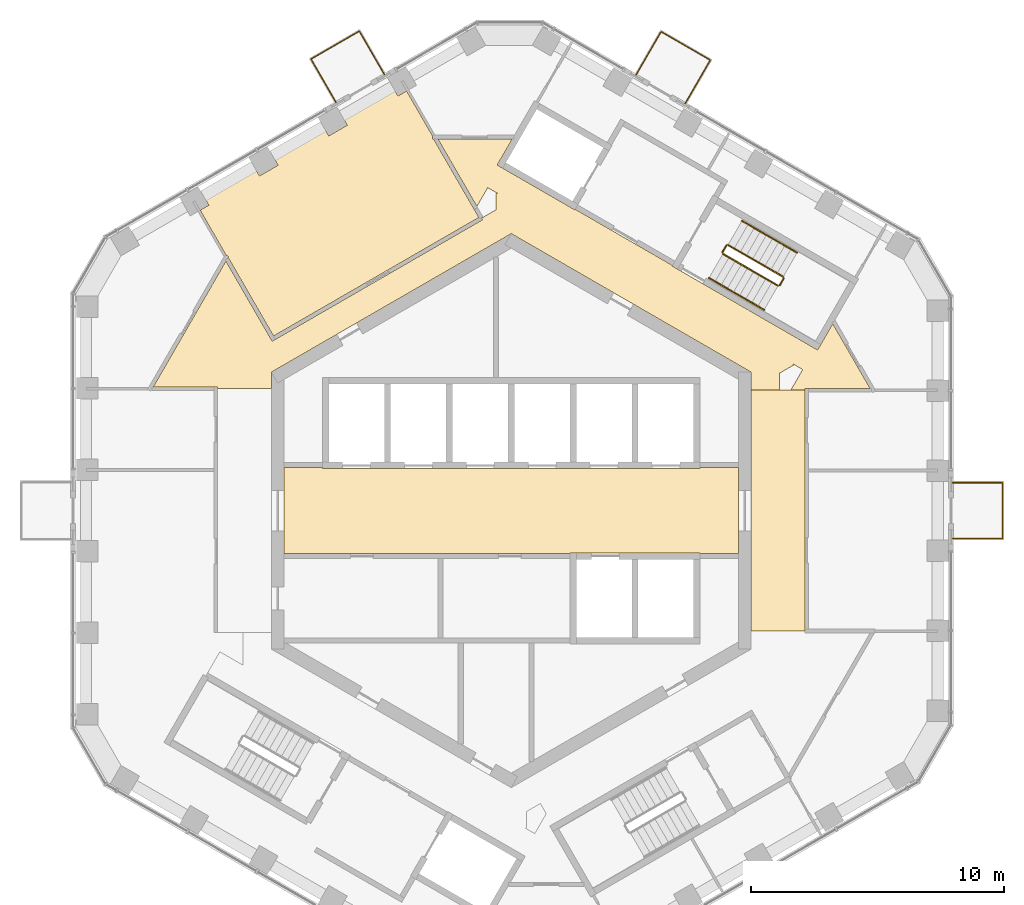
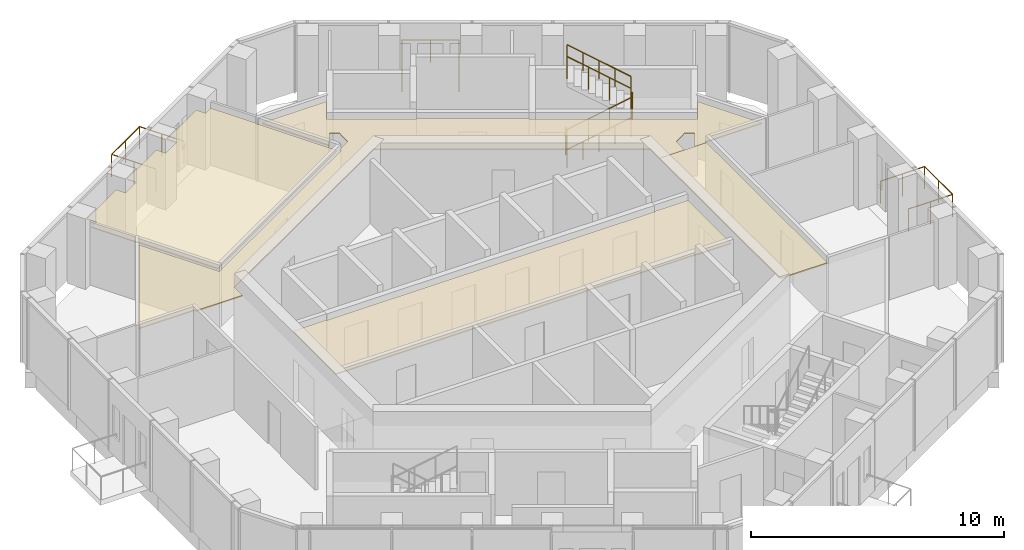
# One storey, part 19 of 19: 11 railings, 4 coverings.
"""IFC4 building model written with IfcOpenShell, lengths in metres."""

from ifc_helpers import new_model, si_unit, direction, frame, origin, origin_2d, place, context, subcontext, project, spatial, polyline, circle, outline, extrude, material, layer, layer_set, type_object, element, save


model = new_model("IFC4")

# Units and contexts
model_context = context("Model", 3, precision=1e-05, world=origin(), true_north=direction((0.0, 1.0)))
body_context = subcontext(model_context, "Body", "Model", "MODEL_VIEW")
ifc_project = project(units=[si_unit("LENGTHUNIT", "METRE"), si_unit("AREAUNIT", "SQUARE_METRE"), si_unit("VOLUMEUNIT", "CUBIC_METRE"), si_unit("PLANEANGLEUNIT", "RADIAN"), si_unit("MASSUNIT", "GRAM", prefix="KILO")], contexts=[model_context])

# Site, building, storey
site_placement = place(None, origin())
site = spatial("IfcSite", under=ifc_project, at=site_placement, CompositionType="ELEMENT")
building_placement = place(site_placement, origin())
building = spatial("IfcBuilding", under=site, at=building_placement, Name="Ayvan Gate Tower", CompositionType="ELEMENT")
storey_placement = place(building_placement, frame((0.0, 0.0, 222.300048828125)))
storey = spatial("IfcBuildingStorey", under=building, at=storey_placement, Name="L59", CompositionType="ELEMENT", Elevation=222.300048828125)

# Railings
ifc_material_1 = material(Name="Stainless steel 316 and laminated glass", Category="steel")
railing_type_1 = type_object("IfcRailingType", Name="Balcony balustrade 1100", PredefinedType="BALUSTRADE", material=ifc_material_1)
railing_1_placement = place(storey_placement, frame((-5.008056640625, 17.24365234375, 0.0)))
element("IfcRailing", 1, at=railing_1_placement, inside=storey, type_object=railing_type_1, Name="Balcony balustrade BAL-L59-2", PredefinedType="BALUSTRADE", context=body_context, shape_type="SweptSolid", body=[
    extrude(circle(Radius=0.02490234375, at=origin_2d()), frame((0.0, 0.0, 1.0751953125), z_axis=(-0.500061578839, 0.865989848306, 0.0), x_axis=(-0.865989848306, -0.500061578839, 0.0)), (0.0, 0.0, 1.0), 2.014892578125),
    extrude(circle(Radius=0.02490234375, at=origin_2d()), frame((-1.007568359375, 1.744873046875, 1.0751953125), z_axis=(-0.866066005596, -0.499929669004, 0.0), x_axis=(0.499929669004, -0.866066005596, 0.0)), (0.0, 0.0, 1.0), 2.209716796875),
    extrude(circle(Radius=0.02490234375, at=origin_2d()), frame((-2.92138671875, 0.64013671875, 1.0751953125), z_axis=(0.500009111705, -0.866020143075, 0.0), x_axis=(0.866020143075, 0.500009111705, 0.0)), (0.0, 0.0, 1.0), 2.01513671875),
    extrude(circle(Radius=0.02001953125, at=origin_2d()), origin(), (0.0, 0.0, 1.0), 1.050048828125),
    extrude(circle(Radius=0.02001953125, at=origin_2d()), frame((-0.50390625, 0.87255859375, 0.0)), (0.0, 0.0, 1.0), 1.050048828125),
    extrude(circle(Radius=0.02001953125, at=origin_2d()), frame((-1.007568359375, 1.744873046875, 0.0)), (0.0, 0.0, 1.0), 1.050048828125),
    extrude(circle(Radius=0.02001953125, at=origin_2d()), frame((-1.96435546875, 1.1923828125, 0.0)), (0.0, 0.0, 1.0), 1.050048828125),
    extrude(circle(Radius=0.02001953125, at=origin_2d()), frame((-2.92138671875, 0.64013671875, 0.0)), (0.0, 0.0, 1.0), 1.050048828125),
    extrude(circle(Radius=0.02001953125, at=origin_2d()), frame((-2.41748046875, -0.232421875, 0.0)), (0.0, 0.0, 1.0), 1.050048828125),
    extrude(circle(Radius=0.02001953125, at=origin_2d()), frame((-1.913818359375, -1.10498046875, 0.0)), (0.0, 0.0, 1.0), 1.050048828125),
])
railing_2_placement = place(storey_placement, frame((17.4375, -1.10498046875, 0.0)))
element("IfcRailing", 2, at=railing_2_placement, inside=storey, type_object=railing_type_1, Name="Balcony balustrade BAL-L59-0", PredefinedType="BALUSTRADE", context=body_context, shape_type="SweptSolid", body=[
    extrude(circle(Radius=0.02490234375, at=origin_2d()), frame((0.0, 0.0, 1.0751953125), z_axis=(1.0, 0.0, 0.0), x_axis=(0.0, 1.0, 0.0)), (0.0, 0.0, 1.0), 2.014892578125),
    extrude(circle(Radius=0.02490234375, at=origin_2d()), frame((2.014892578125, 0.0, 1.0751953125), z_axis=(0.0, 1.0, 0.0), x_axis=(-1.0, 0.0, 0.0)), (0.0, 0.0, 1.0), 2.2099609375),
    extrude(circle(Radius=0.02490234375, at=origin_2d()), frame((2.014892578125, 2.2099609375, 1.0751953125), z_axis=(-1.0, 0.0, 0.0), x_axis=(0.0, -1.0, 0.0)), (0.0, 0.0, 1.0), 2.014892578125),
    extrude(circle(Radius=0.02001953125, at=origin_2d()), origin(), (0.0, 0.0, 1.0), 1.050048828125),
    extrude(circle(Radius=0.02001953125, at=origin_2d()), frame((1.00732421875, 0.0, 0.0)), (0.0, 0.0, 1.0), 1.050048828125),
    extrude(circle(Radius=0.02001953125, at=origin_2d()), frame((2.014892578125, 0.0, 0.0)), (0.0, 0.0, 1.0), 1.050048828125),
    extrude(circle(Radius=0.02001953125, at=origin_2d()), frame((2.014892578125, 1.10498046875, 0.0)), (0.0, 0.0, 1.0), 1.050048828125),
    extrude(circle(Radius=0.02001953125, at=origin_2d()), frame((2.014892578125, 2.2099609375, 0.0)), (0.0, 0.0, 1.0), 1.050048828125),
    extrude(circle(Radius=0.02001953125, at=origin_2d()), frame((1.00732421875, 2.2099609375, 0.0)), (0.0, 0.0, 1.0), 1.050048828125),
    extrude(circle(Radius=0.02001953125, at=origin_2d()), frame((0.0, 2.2099609375, 0.0)), (0.0, 0.0, 1.0), 1.050048828125),
])
railing_3_placement = place(storey_placement, frame((6.874267578125, 16.09765625, 0.0)))
element("IfcRailing", 3, at=railing_3_placement, inside=storey, type_object=railing_type_1, Name="Balcony balustrade BAL-L59-1", PredefinedType="BALUSTRADE", context=body_context, shape_type="SweptSolid", body=[
    extrude(circle(Radius=0.02490234375, at=origin_2d()), frame((0.0, 0.0, 1.0751953125), z_axis=(0.500061578839, 0.865989848306, 0.0), x_axis=(-0.865989848306, 0.500061578839, 0.0)), (0.0, 0.0, 1.0), 2.014892578125),
    extrude(circle(Radius=0.02490234375, at=origin_2d()), frame((1.007568359375, 1.744873046875, 1.0751953125), z_axis=(-0.866004950882, 0.500035423793, 0.0), x_axis=(-0.500035423793, -0.866004950882, 0.0)), (0.0, 0.0, 1.0), 2.250732421875),
    extrude(circle(Radius=0.02490234375, at=origin_2d()), frame((-0.941650390625, 2.870361328125, 1.0751953125), z_axis=(-0.500061578839, -0.865989848306, 0.0), x_axis=(0.865989848306, -0.500061578839, 0.0)), (0.0, 0.0, 1.0), 2.014892578125),
    extrude(circle(Radius=0.02001953125, at=origin_2d()), origin(), (0.0, 0.0, 1.0), 1.050048828125),
    extrude(circle(Radius=0.02001953125, at=origin_2d()), frame((0.50390625, 0.87255859375, 0.0)), (0.0, 0.0, 1.0), 1.050048828125),
    extrude(circle(Radius=0.02001953125, at=origin_2d()), frame((1.007568359375, 1.744873046875, 0.0)), (0.0, 0.0, 1.0), 1.050048828125),
    extrude(circle(Radius=0.02001953125, at=origin_2d()), frame((0.032958984375, 2.3076171875, 0.0)), (0.0, 0.0, 1.0), 1.050048828125),
    extrude(circle(Radius=0.02001953125, at=origin_2d()), frame((-0.941650390625, 2.870361328125, 0.0)), (0.0, 0.0, 1.0), 1.050048828125),
    extrude(circle(Radius=0.02001953125, at=origin_2d()), frame((-1.4453125, 1.998046875, 0.0)), (0.0, 0.0, 1.0), 1.050048828125),
    extrude(circle(Radius=0.02001953125, at=origin_2d()), frame((-1.94921875, 1.12548828125, 0.0)), (0.0, 0.0, 1.0), 1.050048828125),
])

# Coverings
ifc_material_2 = material(Name="Plasterboard suspended ceiling")
ifc_layer = layer(ifc_material_2, 0.050048828125)
ifc_layer_set = layer_set([ifc_layer], Name="Plasterboard suspended ceiling")
covering_type = type_object("IfcCoveringType", Name="CT-SUSP-50", PredefinedType="CEILING", material=ifc_layer_set)
covering_1_placement = place(storey_placement, frame((0.0, 0.0, 2.699951171875)))
element("IfcCovering", 4, at=covering_1_placement, inside=storey, type_object=covering_type, Name="Ceiling Lift Lobby L59", PredefinedType="CEILING", context=body_context, shape_type="SweptSolid", body=[
    extrude(outline(polyline([(7.47509765625, -1.675048828125), (2.324951171875, -1.675048828125), (2.324951171875, -1.699951171875), (-9.0, -1.699951171875), (-9.0, 1.699951171875), (-7.47509765625, 1.699951171875), (-7.47509765625, 1.675048828125), (7.47509765625, 1.675048828125), (7.47509765625, 1.699951171875), (9.0, 1.699951171875), (9.0, -1.699951171875), (7.47509765625, -1.699951171875), (7.47509765625, -1.675048828125)])), origin(), (0.0, 0.0, 1.0), 0.050048828125),
])
covering_2_placement = place(storey_placement, frame((0.0, 0.0, 2.699951171875)))
element("IfcCovering", 5, at=covering_2_placement, inside=storey, type_object=covering_type, Name="Ceiling Gallery L59", PredefinedType="CEILING", context=body_context, shape_type="SweptSolid", body=[
    extrude(outline(polyline([(-0.53955078125, 12.56298828125), (-0.930419921875, 12.78857421875), (-1.35986328125, 12.044677734375), (-2.908203125, 14.7265625), (0.044189453125, 14.7265625), (-0.55615234375, 13.686767578125), (-0.339599609375, 13.561767578125), (2.518310546875, 11.91162109375), (2.53076171875, 11.933349609375), (6.384521484375, 9.70849609375), (6.3720703125, 9.686767578125), (6.588623046875, 9.561767578125), (12.131103515625, 6.36181640625), (12.24609375, 6.56103515625), (12.7314453125, 7.401611328125), (14.207763671875, 4.8447265625), (11.625, 4.8447265625), (11.625, 4.769775390625), (11.067626953125, 4.769775390625), (11.540283203125, 5.58837890625), (11.149658203125, 5.814208984375), (11.1796875, 5.76171875), (10.6201171875, 5.438720703125), (10.6201171875, 4.769775390625), (9.5, 4.769775390625), (9.5, 5.48486328125), (4.66748046875, 8.27490234375), (0.0, 10.9697265625), (-4.667724609375, 8.27490234375), (-8.880615234375, 5.84228515625), (-9.5, 5.48486328125), (-9.5, 4.831298828125), (-11.625, 4.831298828125), (-11.625, 4.90625), (-14.172119140625, 4.90625), (-11.299560546875, 9.882080078125), (-9.468017578125, 6.7099609375), (-9.338134765625, 6.784912109375), (-1.141845703125, 11.51708984375), (-1.17919921875, 11.58203125), (-0.60009765625, 11.91650390625), (-0.60009765625, 12.56298828125), (-0.53955078125, 12.56298828125)])), origin(), (0.0, 0.0, 1.0), 0.050048828125),
])
covering_3_placement = place(storey_placement, frame((0.0, 0.0, 2.699951171875)))
element("IfcCovering", 6, at=covering_3_placement, inside=storey, type_object=covering_type, Name="Ceiling Lift Lounge Lobby L59", PredefinedType="CEILING", context=body_context, shape_type="SweptSolid", body=[
    extrude(outline(polyline([(11.625, -4.769775390625), (9.5, -4.769775390625), (9.5, 4.769775390625), (11.625, 4.769775390625), (11.625, -4.694580078125), (11.625, -4.694580078125), (11.625, -4.769775390625)])), origin(), (0.0, 0.0, 1.0), 0.050048828125),
])
covering_4_placement = place(storey_placement, frame((0.0, 0.0, 2.699951171875)))
element("IfcCovering", 7, at=covering_4_placement, inside=storey, type_object=covering_type, Name="Ceiling Study Lounge L59", PredefinedType="CEILING", context=body_context, shape_type="SweptSolid", body=[
    extrude(outline(polyline([(-12.318603515625, 11.897216796875), (-11.97607421875, 12.094970703125), (-12.1884765625, 12.462890625), (-10.182861328125, 13.62109375), (-9.97021484375, 13.2529296875), (-9.234130859375, 13.677978515625), (-9.446533203125, 14.0458984375), (-7.44091796875, 15.2041015625), (-7.228515625, 14.8359375), (-6.4921875, 15.260986328125), (-6.70458984375, 15.62890625), (-4.698974609375, 16.787109375), (-4.486572265625, 16.4189453125), (-4.143798828125, 16.61669921875), (-3.11328125, 14.83154296875), (-3.11328125, 14.7265625), (-3.081298828125, 14.7265625), (-1.468017578125, 11.93212890625), (-1.281982421875, 11.609619140625), (-9.4130859375, 6.914794921875), (-11.197021484375, 10.00439453125), (-11.24462890625, 9.97705078125), (-11.197021484375, 10.059326171875), (-11.287841796875, 10.11181640625), (-12.318603515625, 11.897216796875)])), origin(), (0.0, 0.0, 1.0), 0.050048828125),
])

# Railings
ifc_material_3 = material(Name="Stainless steel balustrade", Category="steel")
railing_type_2 = type_object("IfcRailingType", Name="RL-GUARD-1100", PredefinedType="GUARDRAIL", material=ifc_material_3)
railing_4_placement = place(storey_placement, frame((8.381103515625, 10.16650390625, 0.169921875)))
element("IfcRailing", 8, at=railing_4_placement, inside=storey, type_object=railing_type_2, Name="L59 STS1 stair guard 1", PredefinedType="GUARDRAIL", context=body_context, shape_type="SweptSolid", body=[
    extrude(circle(Radius=0.02392578125, at=origin_2d()), frame((0.0, 0.0, 1.076171875), z_axis=(0.740261155115, -0.427395438142, 0.518986090067), x_axis=(0.500004791531, 0.866022637375, 0.0)), (0.0, 0.0, 1.0), 2.947998046875),
    extrude(circle(Radius=0.02099609375, at=origin_2d()), origin(), (0.0, 0.0, 1.0), 1.052001953125),
    extrude(circle(Radius=0.02099609375, at=origin_2d()), frame((0.7275390625, -0.419921875, 0.510009765625)), (0.0, 0.0, 1.0), 1.052001953125),
    extrude(circle(Radius=0.02099609375, at=origin_2d()), frame((1.454833984375, -0.840087890625, 1.02001953125)), (0.0, 0.0, 1.0), 1.052001953125),
    extrude(circle(Radius=0.02099609375, at=origin_2d()), frame((2.182373046875, -1.260009765625, 1.530029296875)), (0.0, 0.0, 1.0), 1.052001953125),
])
railing_5_placement = place(storey_placement, frame((10.6318359375, 8.9248046875, 1.699951171875)))
element("IfcRailing", 9, at=railing_5_placement, inside=storey, type_object=railing_type_2, Name="L59 STS1 stair guard 2", PredefinedType="GUARDRAIL", context=body_context, shape_type="SweptSolid", body=[
    extrude(circle(Radius=0.02392578125, at=origin_2d()), frame((0.0, 0.0, 1.076171875), z_axis=(0.499949632511, 0.866054481515, 0.0), x_axis=(-0.866054481515, 0.499949632511, 0.0)), (0.0, 0.0, 1.0), 0.31005859375),
    extrude(circle(Radius=0.02099609375, at=origin_2d()), origin(), (0.0, 0.0, 1.0), 1.052001953125),
    extrude(circle(Radius=0.02099609375, at=origin_2d()), frame((0.155029296875, 0.2685546875, 0.0)), (0.0, 0.0, 1.0), 1.052001953125),
])
railing_6_placement = place(storey_placement, frame((10.7685546875, 9.261474609375, 1.869873046875)))
element("IfcRailing", 10, at=railing_6_placement, inside=storey, type_object=railing_type_2, Name="L59 STS1 stair guard 3", PredefinedType="GUARDRAIL", context=body_context, shape_type="SweptSolid", body=[
    extrude(circle(Radius=0.02392578125, at=origin_2d()), frame((0.0, 0.0, 1.076171875), z_axis=(-0.740261155115, 0.427395438142, 0.518986090067), x_axis=(-0.500004791531, -0.866022637375, 0.0)), (0.0, 0.0, 1.0), 2.947998046875),
    extrude(circle(Radius=0.02099609375, at=origin_2d()), origin(), (0.0, 0.0, 1.0), 1.052001953125),
    extrude(circle(Radius=0.02099609375, at=origin_2d()), frame((-0.7275390625, 0.419921875, 0.510009765625)), (0.0, 0.0, 1.0), 1.052001953125),
    extrude(circle(Radius=0.02099609375, at=origin_2d()), frame((-1.454833984375, 0.840087890625, 1.02001953125)), (0.0, 0.0, 1.0), 1.052001953125),
    extrude(circle(Radius=0.02099609375, at=origin_2d()), frame((-2.182373046875, 1.260009765625, 1.530029296875)), (0.0, 0.0, 1.0), 1.052001953125),
])
railing_7_placement = place(storey_placement, frame((8.36279296875, 10.23486328125, 0.0)))
element("IfcRailing", 11, at=railing_7_placement, inside=storey, type_object=railing_type_2, Name="L59 STS1 stair guard 4", PredefinedType="GUARDRAIL", context=body_context, shape_type="SweptSolid", body=[
    extrude(circle(Radius=0.02392578125, at=origin_2d()), frame((0.0, 0.0, 1.076171875), z_axis=(0.500290723946, 0.86585748916, 0.0), x_axis=(-0.86585748916, 0.500290723946, 0.0)), (0.0, 0.0, 1.0), 0.309814453125),
    extrude(circle(Radius=0.02099609375, at=origin_2d()), origin(), (0.0, 0.0, 1.0), 1.052001953125),
    extrude(circle(Radius=0.02099609375, at=origin_2d()), frame((0.155029296875, 0.268310546875, 0.0)), (0.0, 0.0, 1.0), 1.052001953125),
])
railing_type_3 = type_object("IfcRailingType", Name="RL-HANDRAIL-900", PredefinedType="HANDRAIL", material=ifc_material_3)
railing_8_placement = place(storey_placement, frame((7.8310546875, 9.2138671875, 0.169921875)))
element("IfcRailing", 12, at=railing_8_placement, inside=storey, type_object=railing_type_3, Name="L59 STS1 stair handrail 1", PredefinedType="HANDRAIL", context=body_context, shape_type="SweptSolid", body=[
    extrude(circle(Radius=0.02392578125, at=origin_2d()), frame((0.0, 0.0, 0.8759765625), z_axis=(0.740292964666, -0.42728318766, 0.519033143459), x_axis=(0.499890179513, 0.866088799389, 0.0)), (0.0, 0.0, 1.0), 1.47412109375),
    extrude(circle(Radius=0.02099609375, at=origin_2d()), origin(), (0.0, 0.0, 1.0), 0.851806640625),
    extrude(circle(Radius=0.02099609375, at=origin_2d()), frame((0.545654296875, -0.31494140625, 0.382568359375)), (0.0, 0.0, 1.0), 0.851806640625),
    extrude(circle(Radius=0.02099609375, at=origin_2d()), frame((1.09130859375, -0.6298828125, 0.76513671875)), (0.0, 0.0, 1.0), 0.851806640625),
])
railing_9_placement = place(storey_placement, frame((8.92236328125, 8.583984375, 0.93505859375)))
element("IfcRailing", 13, at=railing_9_placement, inside=storey, type_object=railing_type_3, Name="L59 STS1 stair handrail 2", PredefinedType="HANDRAIL", context=body_context, shape_type="SweptSolid", body=[
    extrude(circle(Radius=0.02392578125, at=origin_2d()), frame((0.0, 0.0, 0.8759765625), z_axis=(0.740229329464, -0.427507697325, 0.518939021976), x_axis=(0.50011940292, 0.865956455501, 0.0)), (0.0, 0.0, 1.0), 1.473876953125),
    extrude(circle(Radius=0.02099609375, at=origin_2d()), origin(), (0.0, 0.0, 1.0), 0.851806640625),
    extrude(circle(Radius=0.02099609375, at=origin_2d()), frame((0.54541015625, -0.31494140625, 0.38232421875)), (0.0, 0.0, 1.0), 0.851806640625),
    extrude(circle(Radius=0.02099609375, at=origin_2d()), frame((1.091064453125, -0.630126953125, 0.764892578125)), (0.0, 0.0, 1.0), 0.851806640625),
])
railing_10_placement = place(storey_placement, frame((11.318603515625, 10.214111328125, 1.869873046875)))
element("IfcRailing", 14, at=railing_10_placement, inside=storey, type_object=railing_type_3, Name="L59 STS1 stair handrail 3", PredefinedType="HANDRAIL", context=body_context, shape_type="SweptSolid", body=[
    extrude(circle(Radius=0.02392578125, at=origin_2d()), frame((0.0, 0.0, 0.8759765625), z_axis=(-0.740240574041, 0.427418550694, 0.518996411419), x_axis=(-0.500035496587, -0.86600490885, 0.0)), (0.0, 0.0, 1.0), 1.474365234375),
    extrude(circle(Radius=0.02099609375, at=origin_2d()), origin(), (0.0, 0.0, 1.0), 0.851806640625),
    extrude(circle(Radius=0.02099609375, at=origin_2d()), frame((-0.545654296875, 0.31494140625, 0.382568359375)), (0.0, 0.0, 1.0), 0.851806640625),
    extrude(circle(Radius=0.02099609375, at=origin_2d()), frame((-1.09130859375, 0.630126953125, 0.76513671875)), (0.0, 0.0, 1.0), 0.851806640625),
])
railing_11_placement = place(storey_placement, frame((10.227294921875, 10.84423828125, 2.635009765625)))
element("IfcRailing", 15, at=railing_11_placement, inside=storey, type_object=railing_type_3, Name="L59 STS1 stair handrail 4", PredefinedType="HANDRAIL", context=body_context, shape_type="SweptSolid", body=[
    extrude(circle(Radius=0.02392578125, at=origin_2d()), frame((0.0, 0.0, 0.8759765625), z_axis=(-0.740356597536, 0.427319915356, 0.518912129772), x_axis=(-0.499890179513, -0.866088799389, 0.0)), (0.0, 0.0, 1.0), 1.47412109375),
    extrude(circle(Radius=0.02099609375, at=origin_2d()), origin(), (0.0, 0.0, 1.0), 0.851806640625),
    extrude(circle(Radius=0.02099609375, at=origin_2d()), frame((-0.545654296875, 0.31494140625, 0.38232421875)), (0.0, 0.0, 1.0), 0.851806640625),
    extrude(circle(Radius=0.02099609375, at=origin_2d()), frame((-1.09130859375, 0.6298828125, 0.764892578125)), (0.0, 0.0, 1.0), 0.851806640625),
])

save(model, "model.ifc")
